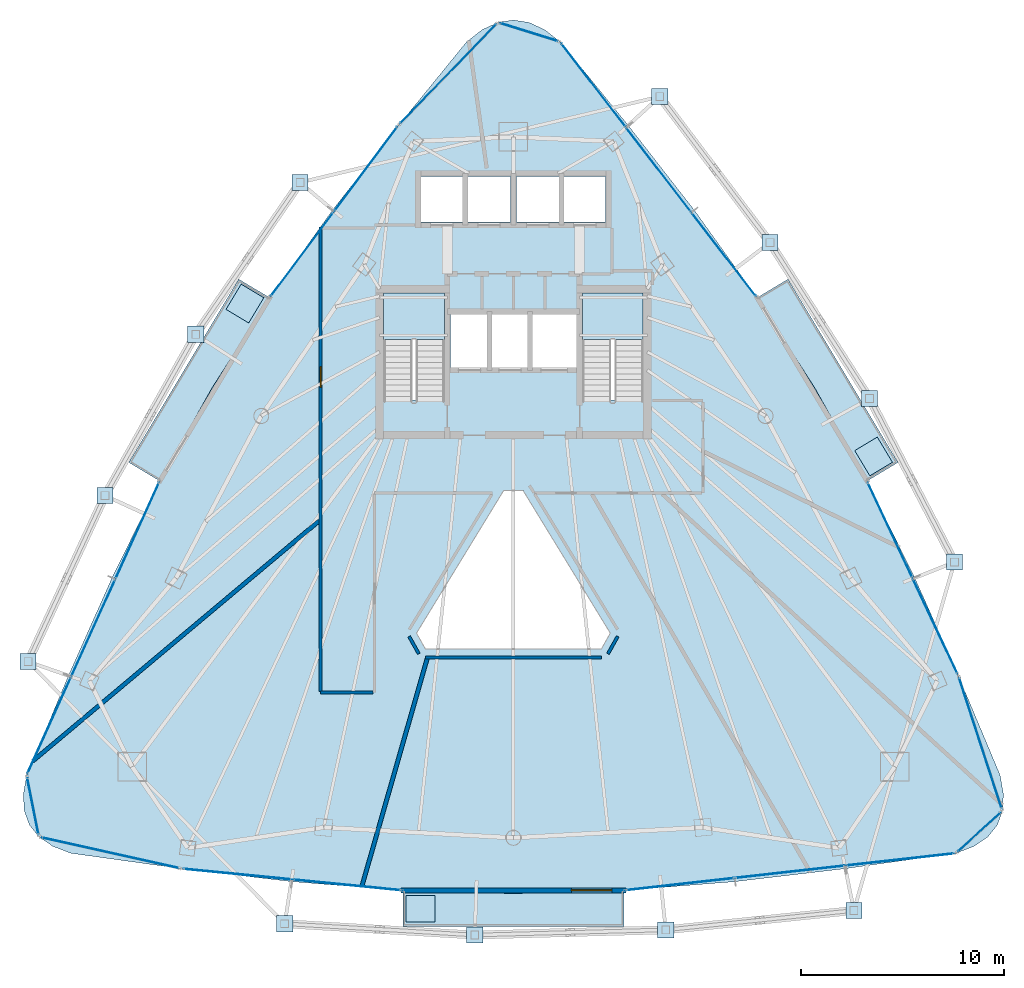
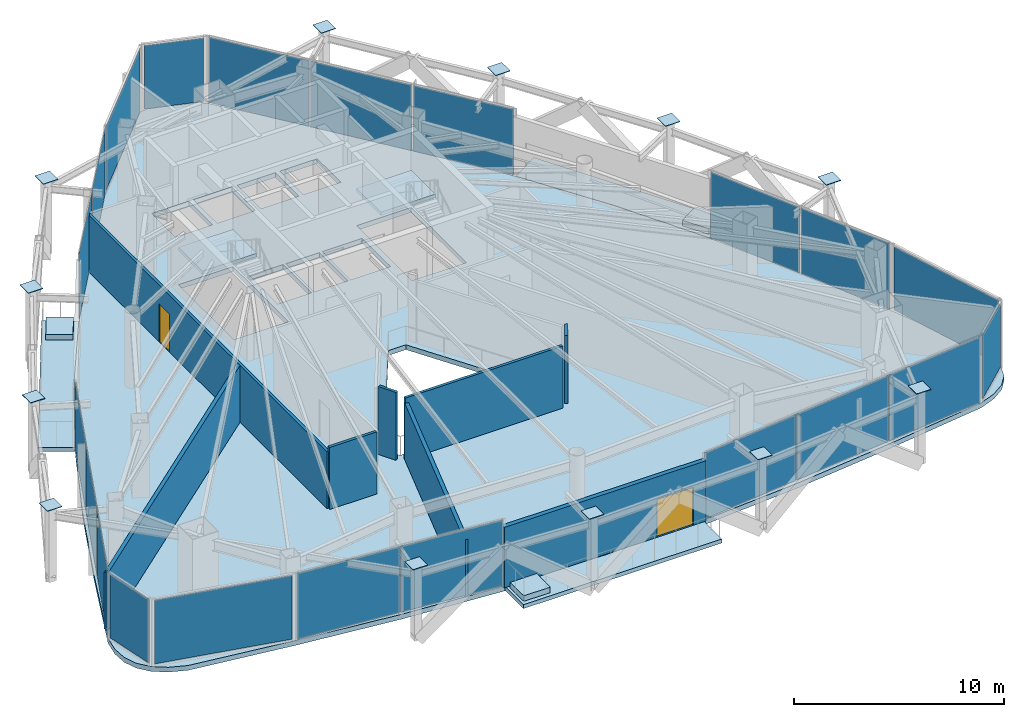
# One storey, part 22 of 27: 33 plates, 9 slabs, 8 walls, 2 doors, 2 openings, 14 elements without a shape of their own.
"""IFC4 building model written with IfcOpenShell, lengths in metres."""

from ifc_helpers import new_model, si_unit, direction, frame, frame_2d, origin, origin_2d, place, context, subcontext, project, spatial, polyline, rectangle, outline, extrude, material, layer, layer_set, type_object, element, fill, aggregate, save


model = new_model("IFC4")

# Units and contexts
model_context = context("Model", 3, precision=1e-05, world=origin(), true_north=direction((0.0, 1.0)))
body_context = subcontext(model_context, "Body", "Model", "MODEL_VIEW")
ifc_project = project(units=[si_unit("LENGTHUNIT", "METRE"), si_unit("AREAUNIT", "SQUARE_METRE"), si_unit("VOLUMEUNIT", "CUBIC_METRE"), si_unit("PLANEANGLEUNIT", "RADIAN"), si_unit("MASSUNIT", "GRAM", prefix="KILO")], contexts=[model_context])

# Site, building, storey
site_placement = place(None, origin())
site = spatial("IfcSite", under=ifc_project, at=site_placement, CompositionType="ELEMENT")
building_placement = place(site_placement, origin())
building = spatial("IfcBuilding", under=site, at=building_placement, Name="Orvanel Arch Residences", CompositionType="ELEMENT")
storey_placement = place(building_placement, frame((0.0, 0.0, 186.949951171875)))
storey = spatial("IfcBuildingStorey", under=building, at=storey_placement, Name="L53", CompositionType="ELEMENT", Elevation=186.949951171875)

# Plates
ifc_material_1 = material(Name="Structural steel AS/NZS 3678 Grade 350", Category="steel")
ifc_layer_1 = layer(ifc_material_1, 0.031982421875)
ifc_layer_set_1 = layer_set([ifc_layer_1], Name="Structural steel AS/NZS 3678 Grade 350")
plate_type_1 = type_object("IfcPlateType", Name="PL-CAP-32", PredefinedType="SHEET", material=ifc_layer_set_1)
for number, where, z_axis, x_axis, name in (
    (1, (22.48291015625, 39.154052734375, 4.333984375), (0.0, 0.0, 1.0), (1.0, 0.0, 0.0), "L53 hollow member end cap plate"),
    (2, (17.339111328125, 31.6650390625, 4.333984375), (0.0, 0.0, 1.0), (1.0, 0.0, 0.0), "L53 hollow member end cap plate"),
    (3, (12.867919921875, 23.716064453125, 4.333984375), (0.0, 0.0, 1.0), (1.0, 0.0, 0.0), "L53 hollow member end cap plate"),
    (4, (9.074951171875, 15.531005859375, 4.333984375), (0.0, 0.0, 1.0), (1.0, 0.0, 0.0), "L53 hollow member end cap plate"),
    (5, (21.72412109375, 2.60791015625, 4.333984375), (0.0, 0.0, 1.0), (1.0, 0.0, 0.0), "L53 hollow member end cap plate"),
    (6, (31.094970703125, 2.050048828125, 4.333984375), (0.0, 0.0, 1.0), (1.0, 0.0, 0.0), "L53 hollow member end cap plate"),
    (7, (40.510986328125, 2.304931640625, 4.333984375), (0.0, 0.0, 1.0), (1.0, 0.0, 0.0), "L53 hollow member end cap plate"),
    (8, (49.787109375, 3.260986328125, 4.333984375), (0.0, 0.0, 1.0), (1.0, 0.0, 0.0), "L53 hollow member end cap plate"),
    (9, (54.7451171875, 20.43701171875, 4.333984375), (0.0, 0.0, 1.0), (1.0, 0.0, 0.0), "L53 hollow member end cap plate"),
    (10, (50.55908203125, 28.5009765625, 4.333984375), (0.0, 0.0, 1.0), (1.0, 0.0, 0.0), "L53 hollow member end cap plate"),
    (11, (45.65087890625, 36.18701171875, 4.333984375), (0.0, 0.0, 1.0), (1.0, 0.0, 0.0), "L53 hollow member end cap plate"),
    (12, (40.215087890625, 43.386962890625, 4.333984375), (0.0, 0.0, 1.0), (1.0, 0.0, 0.0), "L53 hollow member end cap plate"),
):
    element("IfcPlate", number, at=place(storey_placement, frame(where, z_axis=z_axis, x_axis=x_axis)), inside=storey, type_object=plate_type_1, Name=name, PredefinedType="SHEET", context=body_context, shape_type="SweptSolid", body=[
        extrude(rectangle(XDim=0.800048828125, YDim=0.800048828125, at=origin_2d()), origin(), (0.0, 0.0, 1.0), 0.031982421875),
    ])

# Curtain wall, plate
ifc_material_2 = material(Name="Bronze-anodised aluminium AA6063-T6", Category="aluminium")
ifc_layer_2 = layer(ifc_material_2, 0.18994140625)
ifc_layer_set_2 = layer_set([ifc_layer_2], Name="Bronze-anodised aluminium AA6063-T6")
curtain_wall_type_1 = type_object("IfcCurtainWallType", Name="CW5-CRN-SYS", PredefinedType="NOTDEFINED", material=ifc_layer_set_2)
curtain_wall_1_placement = place(storey_placement, origin())
curtain_wall_1 = element("IfcCurtainWall", 13, at=curtain_wall_1_placement, inside=storey, type_object=curtain_wall_type_1, Name="L53 CW5-CRN-SYS Unitised Curtain Wall", PredefinedType="NOTDEFINED")
ifc_material_3 = material(Name="Double-glazed solar-control low-E safety glass", Category="glass")
ifc_layer_3 = layer(ifc_material_3, 0.031982421875)
ifc_layer_set_3 = layer_set([ifc_layer_3], Name="Double-glazed solar-control low-E safety glass")
plate_type_2 = type_object("IfcPlateType", Name="PNL-GLZ-32", PredefinedType="CURTAIN_PANEL", material=ifc_layer_set_3)
plate_1_placement = place(storey_placement, frame((33.7705078125, 46.56396484375, 0.130126953125), z_axis=(0.0, 0.0, 1.0), x_axis=(-0.954741997717, 0.297435232942, 0.0)))
plate_1 = element("IfcPlate", 14, at=plate_1_placement, type_object=plate_type_2, Name="CW-S5 panel 1.1", PredefinedType="CURTAIN_PANEL", context=body_context, shape_type="SweptSolid", body=[
    extrude(rectangle(XDim=2.88720703125, YDim=0.031982421875, at=origin_2d()), origin(), (0.0, 0.0, 1.0), 3.68994140625),
])
aggregate(curtain_wall_1, [plate_1])

curtain_wall_2_placement = place(storey_placement, origin())
curtain_wall_2 = element("IfcCurtainWall", 15, at=curtain_wall_2_placement, inside=storey, type_object=curtain_wall_type_1, Name="L53 CW5-CRN-SYS Unitised Curtain Wall", PredefinedType="NOTDEFINED")
plate_2_placement = place(storey_placement, frame((29.778564453125, 44.5, 0.130126953125), z_axis=(0.0, 0.0, 1.0), x_axis=(-0.693819441738, -0.720149000045, 0.0)))
plate_2 = element("IfcPlate", 16, at=plate_2_placement, type_object=plate_type_2, Name="CW-S5 panel 1.1", PredefinedType="CURTAIN_PANEL", context=body_context, shape_type="SweptSolid", body=[
    extrude(rectangle(XDim=6.726318359375, YDim=0.031982421875, at=origin_2d()), origin(), (0.0, 0.0, 1.0), 3.68994140625),
])
aggregate(curtain_wall_2, [plate_2])

curtain_wall_3_placement = place(storey_placement, origin())
curtain_wall_3 = element("IfcCurtainWall", 17, at=curtain_wall_3_placement, inside=storey, type_object=curtain_wall_type_1, Name="L53 CW5-CRN-SYS Unitised Curtain Wall", PredefinedType="NOTDEFINED")
plate_3_placement = place(storey_placement, frame((9.30810546875, 8.409912109375, 0.130126953125), z_axis=(0.0, 0.0, 1.0), x_axis=(0.195614533746, -0.980680862558, 0.0)))
plate_3 = element("IfcPlate", 18, at=plate_3_placement, type_object=plate_type_2, Name="CW-S5 panel 1.1", PredefinedType="CURTAIN_PANEL", context=body_context, shape_type="SweptSolid", body=[
    extrude(rectangle(XDim=2.767333984375, YDim=0.031982421875, at=origin_2d()), origin(), (0.0, 0.0, 1.0), 3.68994140625),
])
aggregate(curtain_wall_3, [plate_3])

curtain_wall_4_placement = place(storey_placement, origin())
curtain_wall_4 = element("IfcCurtainWall", 19, at=curtain_wall_4_placement, inside=storey, type_object=curtain_wall_type_1, Name="L53 CW5-CRN-SYS Unitised Curtain Wall", PredefinedType="NOTDEFINED")
plate_4_placement = place(storey_placement, frame((13.1259765625, 6.10400390625, 0.130126953125), z_axis=(0.0, 0.0, 1.0), x_axis=(0.976094946829, -0.217344553129, 0.0)))
plate_4 = element("IfcPlate", 20, at=plate_4_placement, type_object=plate_type_2, Name="CW-S5 panel 1.1", PredefinedType="CURTAIN_PANEL", context=body_context, shape_type="SweptSolid", body=[
    extrude(rectangle(XDim=6.859130859375, YDim=0.031982421875, at=origin_2d()), origin(), (0.0, 0.0, 1.0), 3.68994140625),
])
aggregate(curtain_wall_4, [plate_4])

curtain_wall_5_placement = place(storey_placement, origin())
curtain_wall_5 = element("IfcCurtainWall", 21, at=curtain_wall_5_placement, inside=storey, type_object=curtain_wall_type_1, Name="L53 CW5-CRN-SYS Unitised Curtain Wall", PredefinedType="NOTDEFINED")
plate_5_placement = place(storey_placement, frame((55.964599609375, 7.12548828125, 0.130126953125), z_axis=(0.0, 0.0, 1.0), x_axis=(0.74019073864, 0.67239695897, 0.0)))
plate_5 = element("IfcPlate", 22, at=plate_5_placement, type_object=plate_type_2, Name="CW-S5 panel 1.1", PredefinedType="CURTAIN_PANEL", context=body_context, shape_type="SweptSolid", body=[
    extrude(rectangle(XDim=2.76806640625, YDim=0.031982421875, at=origin_2d()), origin(), (0.0, 0.0, 1.0), 3.68994140625),
])
aggregate(curtain_wall_5, [plate_5])

curtain_wall_6_placement = place(storey_placement, origin())
curtain_wall_6 = element("IfcCurtainWall", 23, at=curtain_wall_6_placement, inside=storey, type_object=curtain_wall_type_1, Name="L53 CW5-CRN-SYS Unitised Curtain Wall", PredefinedType="NOTDEFINED")
plate_6_placement = place(storey_placement, frame((56.025390625, 11.506591796875, 0.130126953125), z_axis=(0.0, 0.0, 1.0), x_axis=(-0.310462550161, 0.950585611582, 0.0)))
plate_6 = element("IfcPlate", 24, at=plate_6_placement, type_object=plate_type_2, Name="CW-S5 panel 1.1", PredefinedType="CURTAIN_PANEL", context=body_context, shape_type="SweptSolid", body=[
    extrude(rectangle(XDim=6.679931640625, YDim=0.031982421875, at=origin_2d()), origin(), (0.0, 0.0, 1.0), 3.68994140625),
])
aggregate(curtain_wall_6, [plate_6])

# Curtain wall, plates
ifc_layer_4 = layer(ifc_material_2, 0.195068359375)
ifc_layer_set_4 = layer_set([ifc_layer_4], Name="Bronze-anodised aluminium AA6063-T6")
curtain_wall_type_2 = type_object("IfcCurtainWallType", Name="CW6-COM-SYS", PredefinedType="NOTDEFINED", material=ifc_layer_set_4)
curtain_wall_7_placement = place(storey_placement, origin())
curtain_wall_7 = element("IfcCurtainWall", 25, at=curtain_wall_7_placement, inside=storey, type_object=curtain_wall_type_2, Name="L53 CW6-COM-SYS Unitised Curtain Wall", PredefinedType="NOTDEFINED")
plate_7_placement = place(storey_placement, frame((25.724609375, 39.811767578125, 0.06494140625), z_axis=(0.0, 0.0, 1.0), x_axis=(-0.598619354935, -0.801033624698, 0.0)))
plate_7 = element("IfcPlate", 26, at=plate_7_placement, type_object=plate_type_2, Name="CW-S6 panel 1.1", PredefinedType="CURTAIN_PANEL", context=body_context, shape_type="SweptSolid", body=[
    extrude(rectangle(XDim=5.163818359375, YDim=0.031982421875, at=origin_2d()), origin(), (0.0, 0.0, 1.0), 3.820068359375),
])
plate_8_placement = place(storey_placement, frame((22.58837890625, 35.615234375, 0.06494140625), z_axis=(0.0, 0.0, 1.0), x_axis=(-0.598619354935, -0.801033624698, 0.0)))
plate_8 = element("IfcPlate", 27, at=plate_8_placement, type_object=plate_type_2, Name="CW-S6 panel 2.1", PredefinedType="CURTAIN_PANEL", context=body_context, shape_type="SweptSolid", body=[
    extrude(rectangle(XDim=5.163818359375, YDim=0.031982421875, at=origin_2d()), origin(), (0.0, 0.0, 1.0), 3.820068359375),
])
aggregate(curtain_wall_7, [plate_7, plate_8])

curtain_wall_8_placement = place(storey_placement, origin())
curtain_wall_8 = element("IfcCurtainWall", 28, at=curtain_wall_8_placement, inside=storey, type_object=curtain_wall_type_2, Name="L53 CW6-COM-SYS Unitised Curtain Wall", PredefinedType="NOTDEFINED")
plate_9_placement = place(storey_placement, frame((14.45849609375, 21.9873046875, 0.06494140625), z_axis=(0.0, 0.0, 1.0), x_axis=(-0.412283653519, -0.911055535651, 0.0)))
plate_9 = element("IfcPlate", 29, at=plate_9_placement, type_object=plate_type_2, Name="CW-S6 panel 1.1", PredefinedType="CURTAIN_PANEL", context=body_context, shape_type="SweptSolid", body=[
    extrude(rectangle(XDim=5.17919921875, YDim=0.031982421875, at=origin_2d()), origin(), (0.0, 0.0, 1.0), 3.820068359375),
])
plate_10_placement = place(storey_placement, frame((12.284423828125, 17.18359375, 0.06494140625), z_axis=(0.0, 0.0, 1.0), x_axis=(-0.412283653519, -0.911055535651, 0.0)))
plate_10 = element("IfcPlate", 30, at=plate_10_placement, type_object=plate_type_2, Name="CW-S6 panel 2.1", PredefinedType="CURTAIN_PANEL", context=body_context, shape_type="SweptSolid", body=[
    extrude(rectangle(XDim=5.216552734375, YDim=0.031982421875, at=origin_2d()), origin(), (0.0, 0.0, 1.0), 3.820068359375),
])
plate_11_placement = place(storey_placement, frame((10.110595703125, 12.379638671875, 0.06494140625), z_axis=(0.0, 0.0, 1.0), x_axis=(-0.412283653519, -0.911055535651, 0.0)))
plate_11 = element("IfcPlate", 31, at=plate_11_placement, type_object=plate_type_2, Name="CW-S6 panel 3.1", PredefinedType="CURTAIN_PANEL", context=body_context, shape_type="SweptSolid", body=[
    extrude(rectangle(XDim=5.17919921875, YDim=0.031982421875, at=origin_2d()), origin(), (0.0, 0.0, 1.0), 3.820068359375),
])
aggregate(curtain_wall_8, [plate_9, plate_10, plate_11])

curtain_wall_9_placement = place(storey_placement, origin())
curtain_wall_9 = element("IfcCurtainWall", 32, at=curtain_wall_9_placement, inside=storey, type_object=curtain_wall_type_2, Name="L53 CW6-COM-SYS Unitised Curtain Wall", PredefinedType="NOTDEFINED")
plate_12_placement = place(storey_placement, frame((19.3955078125, 5.051025390625, 0.06494140625), z_axis=(0.0, 0.0, 1.0), x_axis=(0.995196387039, -0.097898678362, 0.0)))
plate_12 = element("IfcPlate", 33, at=plate_12_placement, type_object=plate_type_2, Name="CW-S6 panel 1.1", PredefinedType="CURTAIN_PANEL", context=body_context, shape_type="SweptSolid", body=[
    extrude(rectangle(XDim=5.34716796875, YDim=0.031982421875, at=origin_2d()), origin(), (0.0, 0.0, 1.0), 3.820068359375),
])
plate_13_placement = place(storey_placement, frame((24.79150390625, 4.52001953125, 0.06494140625), z_axis=(0.0, 0.0, 1.0), x_axis=(0.995196387039, -0.097898678362, 0.0)))
plate_13 = element("IfcPlate", 34, at=plate_13_placement, type_object=plate_type_2, Name="CW-S6 panel 2.1", PredefinedType="CURTAIN_PANEL", context=body_context, shape_type="SweptSolid", body=[
    extrude(rectangle(XDim=5.34716796875, YDim=0.031982421875, at=origin_2d()), origin(), (0.0, 0.0, 1.0), 3.820068359375),
])
aggregate(curtain_wall_9, [plate_12, plate_13])

curtain_wall_10_placement = place(storey_placement, origin())
curtain_wall_10 = element("IfcCurtainWall", 35, at=curtain_wall_10_placement, inside=storey, type_object=curtain_wall_type_2, Name="L53 CW6-COM-SYS Unitised Curtain Wall", PredefinedType="NOTDEFINED")
plate_14_placement = place(storey_placement, frame((41.2119140625, 4.557861328125, 0.06494140625), z_axis=(0.0, 0.0, 1.0), x_axis=(0.993786073557, 0.111306962965, 0.0)))
plate_14 = element("IfcPlate", 36, at=plate_14_placement, type_object=plate_type_2, Name="CW-S6 panel 1.1", PredefinedType="CURTAIN_PANEL", context=body_context, shape_type="SweptSolid", body=[
    extrude(rectangle(XDim=5.36181640625, YDim=0.031982421875, at=origin_2d()), origin(), (0.0, 0.0, 1.0), 3.820068359375),
])
plate_15_placement = place(storey_placement, frame((46.633544921875, 5.1650390625, 0.06494140625), z_axis=(0.0, 0.0, 1.0), x_axis=(0.993786073557, 0.111306962965, 0.0)))
plate_15 = element("IfcPlate", 37, at=plate_15_placement, type_object=plate_type_2, Name="CW-S6 panel 2.1", PredefinedType="CURTAIN_PANEL", context=body_context, shape_type="SweptSolid", body=[
    extrude(rectangle(XDim=5.3994140625, YDim=0.031982421875, at=origin_2d()), origin(), (0.0, 0.0, 1.0), 3.820068359375),
])
plate_16_placement = place(storey_placement, frame((52.05517578125, 5.772216796875, 0.06494140625), z_axis=(0.0, 0.0, 1.0), x_axis=(0.993786073557, 0.111306962965, 0.0)))
plate_16 = element("IfcPlate", 38, at=plate_16_placement, type_object=plate_type_2, Name="CW-S6 panel 3.1", PredefinedType="CURTAIN_PANEL", context=body_context, shape_type="SweptSolid", body=[
    extrude(rectangle(XDim=5.36181640625, YDim=0.031982421875, at=origin_2d()), origin(), (0.0, 0.0, 1.0), 3.820068359375),
])
aggregate(curtain_wall_10, [plate_14, plate_15, plate_16])

curtain_wall_11_placement = place(storey_placement, origin())
curtain_wall_11 = element("IfcCurtainWall", 39, at=curtain_wall_11_placement, inside=storey, type_object=curtain_wall_type_2, Name="L53 CW6-COM-SYS Unitised Curtain Wall", PredefinedType="NOTDEFINED")
plate_17_placement = place(storey_placement, frame((53.798828125, 17.266357421875, 0.06494140625), z_axis=(0.0, 0.0, 1.0), x_axis=(-0.424943580596, 0.905219837006, 0.0)))
plate_17 = element("IfcPlate", 40, at=plate_17_placement, type_object=plate_type_2, Name="CW-S6 panel 1.1", PredefinedType="CURTAIN_PANEL", context=body_context, shape_type="SweptSolid", body=[
    extrude(rectangle(XDim=5.16455078125, YDim=0.031982421875, at=origin_2d()), origin(), (0.0, 0.0, 1.0), 3.820068359375),
])
plate_18_placement = place(storey_placement, frame((51.572265625, 22.009521484375, 0.06494140625), z_axis=(0.0, 0.0, 1.0), x_axis=(-0.424943580596, 0.905219837006, 0.0)))
plate_18 = element("IfcPlate", 41, at=plate_18_placement, type_object=plate_type_2, Name="CW-S6 panel 2.1", PredefinedType="CURTAIN_PANEL", context=body_context, shape_type="SweptSolid", body=[
    extrude(rectangle(XDim=5.16455078125, YDim=0.031982421875, at=origin_2d()), origin(), (0.0, 0.0, 1.0), 3.820068359375),
])
aggregate(curtain_wall_11, [plate_17, plate_18])

curtain_wall_12_placement = place(storey_placement, origin())
curtain_wall_12 = element("IfcCurtainWall", 42, at=curtain_wall_12_placement, inside=storey, type_object=curtain_wall_type_2, Name="L53 CW6-COM-SYS Unitised Curtain Wall", PredefinedType="NOTDEFINED")
plate_19_placement = place(storey_placement, frame((43.37744140625, 35.5986328125, 0.06494140625), z_axis=(0.0, 0.0, 1.0), x_axis=(-0.60976251669, 0.79258417423, 0.0)))
plate_19 = element("IfcPlate", 43, at=plate_19_placement, type_object=plate_type_2, Name="CW-S6 panel 1.1", PredefinedType="CURTAIN_PANEL", context=body_context, shape_type="SweptSolid", body=[
    extrude(rectangle(XDim=5.1787109375, YDim=0.031982421875, at=origin_2d()), origin(), (0.0, 0.0, 1.0), 3.820068359375),
])
plate_20_placement = place(storey_placement, frame((40.16259765625, 39.777587890625, 0.06494140625), z_axis=(0.0, 0.0, 1.0), x_axis=(-0.60976251669, 0.79258417423, 0.0)))
plate_20 = element("IfcPlate", 44, at=plate_20_placement, type_object=plate_type_2, Name="CW-S6 panel 2.1", PredefinedType="CURTAIN_PANEL", context=body_context, shape_type="SweptSolid", body=[
    extrude(rectangle(XDim=5.216064453125, YDim=0.031982421875, at=origin_2d()), origin(), (0.0, 0.0, 1.0), 3.820068359375),
])
plate_21_placement = place(storey_placement, frame((36.947509765625, 43.956298828125, 0.06494140625), z_axis=(0.0, 0.0, 1.0), x_axis=(-0.60976251669, 0.79258417423, 0.0)))
plate_21 = element("IfcPlate", 45, at=plate_21_placement, type_object=plate_type_2, Name="CW-S6 panel 3.1", PredefinedType="CURTAIN_PANEL", context=body_context, shape_type="SweptSolid", body=[
    extrude(rectangle(XDim=5.1787109375, YDim=0.031982421875, at=origin_2d()), origin(), (0.0, 0.0, 1.0), 3.820068359375),
])
aggregate(curtain_wall_12, [plate_19, plate_20, plate_21])

# Slabs
ifc_material_4 = material(Name="Concrete N40 (40 MPa)", Category="concrete")
ifc_layer_5 = layer(ifc_material_4, 0.22998046875)
ifc_layer_set_5 = layer_set([ifc_layer_5], Name="Concrete N40 (40 MPa)")
slab_type_1 = type_object("IfcSlabType", Name="SLB-BAL-230", PredefinedType="FLOOR", material=ifc_layer_set_5)
slab_1_placement = place(storey_placement, frame((0.0, 0.0, -0.22998046875)))
element("IfcSlab", 46, at=slab_1_placement, inside=storey, type_object=slab_type_1, Name="L53 Cantilevered Balcony Slab Face 1", PredefinedType="FLOOR", context=body_context, shape_type="SweptSolid", body=[
    extrude(outline(polyline([(19.4599609375, 34.385986328125), (14.0380859375, 25.34912109375), (15.56494140625, 24.43310546875), (18.14599609375, 29.029052734375), (20.986083984375, 33.470947265625), (19.4599609375, 34.385986328125)])), origin(), (0.0, 0.0, 1.0), 0.22998046875),
])
slab_2_placement = place(storey_placement, frame((0.0, 0.0, -0.22998046875)))
element("IfcSlab", 47, at=slab_2_placement, inside=storey, type_object=slab_type_1, Name="L53 Cantilevered Balcony Slab Face 2", PredefinedType="FLOOR", context=body_context, shape_type="SweptSolid", body=[
    extrude(outline(polyline([(27.547119140625, 2.468994140625), (38.452880859375, 2.468994140625), (38.452880859375, 4.2490234375), (33.0, 4.097900390625), (27.547119140625, 4.2490234375), (27.547119140625, 2.468994140625)])), origin(), (0.0, 0.0, 1.0), 0.22998046875),
])
slab_3_placement = place(storey_placement, frame((0.0, 0.0, -0.22998046875)))
element("IfcSlab", 48, at=slab_3_placement, inside=storey, type_object=slab_type_1, Name="L53 Cantilevered Balcony Slab Face 3", PredefinedType="FLOOR", context=body_context, shape_type="SweptSolid", body=[
    extrude(outline(polyline([(51.9619140625, 25.34912109375), (46.5400390625, 34.385986328125), (45.013916015625, 33.470947265625), (47.85400390625, 29.029052734375), (50.43505859375, 24.43310546875), (51.9619140625, 25.34912109375)])), origin(), (0.0, 0.0, 1.0), 0.22998046875),
])

# Stair, slab
ifc_material_5 = material(Name="Precast concrete N50 (50 MPa)", Category="concrete")
stair_type = type_object("IfcStairType", Name="STR-DOG-181", PredefinedType="USERDEFINED", material=ifc_material_5)
stair_1_placement = place(storey_placement, origin())
stair_1 = element("IfcStair", 49, at=stair_1_placement, inside=storey, type_object=stair_type, Name="L53 Fire-Isolated Core Exit Stair 1", ObjectType="TWO_RETURN_STAIR", PredefinedType="USERDEFINED")
ifc_layer_6 = layer(ifc_material_4, 0.199951171875)
ifc_layer_set_6 = layer_set([ifc_layer_6], Name="Concrete N40 (40 MPa)")
slab_type_2 = type_object("IfcSlabType", Name="SLB-LND-200", PredefinedType="LANDING", material=ifc_layer_set_6)
slab_4_placement = place(storey_placement, frame((0.0, 0.0, 1.97509765625)))
slab_4 = element("IfcSlab", 50, at=slab_4_placement, type_object=slab_type_2, Name="ST-1 landing 1", PredefinedType="LANDING", context=body_context, shape_type="SweptSolid", body=[
    extrude(outline(polyline([(29.60009765625, 31.39990234375), (29.60009765625, 33.699951171875), (26.60009765625, 33.699951171875), (26.60009765625, 31.39990234375), (29.60009765625, 31.39990234375)])), origin(), (0.0, 0.0, 1.0), 0.199951171875),
])
aggregate(stair_1, [slab_4])

stair_2_placement = place(storey_placement, origin())
stair_2 = element("IfcStair", 51, at=stair_2_placement, inside=storey, type_object=stair_type, Name="L53 Fire-Isolated Core Exit Stair 2", ObjectType="TWO_RETURN_STAIR", PredefinedType="USERDEFINED")
slab_5_placement = place(storey_placement, frame((0.0, 0.0, 1.97509765625)))
slab_5 = element("IfcSlab", 52, at=slab_5_placement, type_object=slab_type_2, Name="ST-2 landing 1", PredefinedType="LANDING", context=body_context, shape_type="SweptSolid", body=[
    extrude(outline(polyline([(39.39990234375, 31.39990234375), (39.39990234375, 33.699951171875), (36.39990234375, 33.699951171875), (36.39990234375, 31.39990234375), (39.39990234375, 31.39990234375)])), origin(), (0.0, 0.0, 1.0), 0.199951171875),
])
aggregate(stair_2, [slab_5])

# Slabs
ifc_material_6 = material(Name="Structural architectural precast concrete N40 (40 MPa) planter", Category="concrete")
ifc_layer_7 = layer(ifc_material_6, 0.320068359375)
ifc_layer_set_7 = layer_set([ifc_layer_7], Name="Structural architectural precast concrete N40 (40 MPa) planter")
slab_type_3 = type_object("IfcSlabType", Name="SLB-PLN-320", PredefinedType="USERDEFINED", material=ifc_layer_set_7)
slab_6_placement = place(storey_placement, origin())
element("IfcSlab", 53, at=slab_6_placement, inside=storey, type_object=slab_type_3, Name="L53 Balcony TREE PLANTER Face 1", ObjectType="PLANTER", PredefinedType="USERDEFINED", context=body_context, shape_type="SweptSolid", body=[
    extrude(outline(polyline([(19.580078125, 34.138916015625), (18.833984375, 32.89599609375), (19.948974609375, 32.22705078125), (20.694091796875, 33.469970703125), (19.580078125, 34.138916015625)])), origin(), (0.0, 0.0, 1.0), 0.320068359375),
])
slab_7_placement = place(storey_placement, origin())
element("IfcSlab", 54, at=slab_7_placement, inside=storey, type_object=slab_type_3, Name="L53 Balcony TREE PLANTER Face 2", ObjectType="PLANTER", PredefinedType="USERDEFINED", context=body_context, shape_type="SweptSolid", body=[
    extrude(outline(polyline([(27.697021484375, 2.698974609375), (29.14697265625, 2.698974609375), (29.14697265625, 3.9990234375), (27.697021484375, 3.9990234375), (27.697021484375, 2.698974609375)])), origin(), (0.0, 0.0, 1.0), 0.320068359375),
])
slab_8_placement = place(storey_placement, origin())
element("IfcSlab", 55, at=slab_8_placement, inside=storey, type_object=slab_type_3, Name="L53 Balcony TREE PLANTER Face 3", ObjectType="PLANTER", PredefinedType="USERDEFINED", context=body_context, shape_type="SweptSolid", body=[
    extrude(outline(polyline([(51.68701171875, 25.35888671875), (50.94091796875, 26.60205078125), (49.825927734375, 25.93408203125), (50.572021484375, 24.68994140625), (51.68701171875, 25.35888671875)])), origin(), (0.0, 0.0, 1.0), 0.320068359375),
])
ifc_layer_8 = layer(ifc_material_4, 0.280029296875)
ifc_layer_set_8 = layer_set([ifc_layer_8], Name="Concrete N40 (40 MPa)")
slab_type_4 = type_object("IfcSlabType", Name="SLB-POD-280", PredefinedType="FLOOR", material=ifc_layer_set_8)
slab_9_placement = place(storey_placement, frame((0.0, 0.0, -0.280029296875)))
element("IfcSlab", 56, at=slab_9_placement, inside=storey, type_object=slab_type_4, Name="L53 Tower Floor Slab", PredefinedType="FLOOR", context=body_context, shape_type="SweptSolid", body=[
    extrude(outline(polyline([(35.31103515625, 46.083984375), (34.541015625, 46.68408203125), (33.77001953125, 47.0439453125), (33.0, 47.1630859375), (32.22998046875, 47.0439453125), (31.458984375, 46.68408203125), (30.68896484375, 46.083984375), (27.326904296875, 41.9560546875), (24.06494140625, 37.76806640625), (20.986083984375, 33.470947265625), (18.14599609375, 29.029052734375), (15.56494140625, 24.43310546875), (13.222900390625, 19.693115234375), (11.06396484375, 14.843017578125), (9.00390625, 9.93408203125), (8.839111328125, 8.991943359375), (8.885009765625, 8.169921875), (9.14306640625, 7.468017578125), (9.612060546875, 6.885986328125), (10.29296875, 6.424072265625), (11.18603515625, 6.0810546875), (16.639892578125, 5.322021484375), (22.093017578125, 4.678955078125), (27.547119140625, 4.2490234375), (33.0, 4.097900390625), (38.452880859375, 4.2490234375), (43.906982421875, 4.678955078125), (49.360107421875, 5.322021484375), (54.81396484375, 6.0810546875), (55.70703125, 6.424072265625), (56.387939453125, 6.885986328125), (56.85791015625, 7.468017578125), (57.114990234375, 8.169921875), (57.160888671875, 8.991943359375), (56.99609375, 9.93408203125), (54.93603515625, 14.843017578125), (52.777099609375, 19.693115234375), (50.43505859375, 24.43310546875), (47.85400390625, 29.029052734375), (45.013916015625, 33.470947265625), (41.93505859375, 37.76806640625), (38.673095703125, 41.9560546875), (35.31103515625, 46.083984375)]), holes=[polyline([(26.60009765625, 28.429931640625), (26.60009765625, 33.699951171875), (29.60009765625, 33.699951171875), (29.60009765625, 28.429931640625), (26.60009765625, 28.429931640625)]), polyline([(36.39990234375, 28.429931640625), (36.39990234375, 33.699951171875), (39.39990234375, 33.699951171875), (39.39990234375, 28.429931640625), (36.39990234375, 28.429931640625)]), polyline([(29.89990234375, 32.64990234375), (31.75, 32.64990234375), (31.75, 29.949951171875), (29.89990234375, 29.949951171875), (29.89990234375, 32.64990234375)]), polyline([(31.89990234375, 32.64990234375), (33.75, 32.64990234375), (33.75, 29.949951171875), (31.89990234375, 29.949951171875), (31.89990234375, 32.64990234375)]), polyline([(33.89990234375, 32.64990234375), (36.10009765625, 32.64990234375), (36.10009765625, 29.949951171875), (33.89990234375, 29.949951171875), (33.89990234375, 32.64990234375)]), polyline([(28.449951171875, 39.449951171875), (30.5, 39.449951171875), (30.5, 37.199951171875), (28.449951171875, 37.199951171875), (28.449951171875, 39.449951171875)]), polyline([(35.5, 39.449951171875), (37.550048828125, 39.449951171875), (37.550048828125, 37.199951171875), (35.5, 37.199951171875), (35.5, 39.449951171875)]), polyline([(30.75, 39.449951171875), (32.85009765625, 39.449951171875), (32.85009765625, 37.199951171875), (30.75, 37.199951171875), (30.75, 39.449951171875)]), polyline([(33.14990234375, 39.449951171875), (35.25, 39.449951171875), (35.25, 37.199951171875), (33.14990234375, 37.199951171875), (33.14990234375, 39.449951171875)]), polyline([(37.777099609375, 16.93505859375), (37.3330078125, 16.14306640625), (28.6669921875, 16.14306640625), (28.222900390625, 16.93505859375), (32.51611328125, 23.9580078125), (33.48388671875, 23.9580078125), (37.777099609375, 16.93505859375)])]), origin(), (0.0, 0.0, 1.0), 0.280029296875),
])

# Wall, opening, door
ifc_layer_9 = layer(ifc_material_5, 0.239990234375)
ifc_layer_set_9 = layer_set([ifc_layer_9], Name="Precast concrete N50 (50 MPa)")
wall_type_1 = type_object("IfcWallType", Name="EW-BAL-240", PredefinedType="SOLIDWALL", material=ifc_layer_set_9)
wall_1_placement = place(storey_placement, frame((27.448974609375, 4.2490234375, 0.0), z_axis=(0.0, 0.0, 1.0), x_axis=(1.0, 0.0, 0.0)))
wall_1 = element("IfcWall", 57, at=wall_1_placement, inside=storey, type_object=wall_type_1, Name="L53 Balcony Threshold Wall Face 2", PredefinedType="SOLIDWALL", context=body_context, shape_type="SweptSolid", body=[
    extrude(rectangle(XDim=11.10205078125, YDim=0.239990234375, at=frame_2d((5.551025390625, 0.0))), origin(), (0.0, 0.0, 1.0), 3.51416015625),
])
opening_1_placement = place(wall_1_placement, frame((8.405029296875, 0.0, 0.0)))
opening_1 = element("IfcOpeningElement", 58, at=opening_1_placement, cuts=wall_1, Name="Opening DT-200", PredefinedType="OPENING", context=body_context, shape_type="SweptSolid", body=[
    extrude(rectangle(XDim=2.0, YDim=2.199951171875, at=frame_2d((1.0, 1.10009765625))), frame((0.0, 0.1298828125, 0.0), z_axis=(0.0, -1.0, 0.0), x_axis=(1.0, 0.0, 0.0)), (0.0, 0.0, 1.0), 0.260009765625),
])
door_type_1 = type_object("IfcDoorType", Name="DR-TER-2000", OperationType="NOTDEFINED", PredefinedType="DOOR", material=ifc_material_2)
door_1_placement = place(opening_1_placement, origin())
door_1 = element("IfcDoor", 59, at=door_1_placement, inside=storey, type_object=door_type_1, Name="DR-L53-BAL-F2 L53 Planted Balcony Access Door Face 2", OperationType="SINGLE_SWING_RIGHT", OverallHeight=2.199951171875, OverallWidth=2.0, PredefinedType="DOOR", context=body_context, shape_type="SweptSolid", body=[
    extrude(rectangle(XDim=2.0, YDim=2.199951171875, at=frame_2d((1.0, 1.10009765625))), frame((0.0, 0.02490234375, 0.0), z_axis=(0.0, -1.0, 0.0), x_axis=(1.0, 0.0, 0.0)), (0.0, 0.0, 1.0), 0.050048828125),
])
fill(opening_1, door_1)

# Wall
ifc_material_7 = material(Name="Fire-rated plasterboard lined steel stud partition", Category="steel")
ifc_layer_10 = layer(ifc_material_7, 0.14990234375)
ifc_layer_set_10 = layer_set([ifc_layer_10], Name="Fire-rated plasterboard lined steel stud partition")
wall_type_2 = type_object("IfcWallType", Name="W-COR-150", PredefinedType="PARTITIONING", material=ifc_layer_set_10)
wall_2_placement = place(storey_placement, frame((26.090087890625, 14.0, 0.0), z_axis=(0.0, 0.0, 1.0), x_axis=(-1.0, 0.0, 0.0)))
element("IfcWall", 60, at=wall_2_placement, inside=storey, type_object=wall_type_2, Name="L53 Community Corridor Wall", PredefinedType="PARTITIONING", context=body_context, shape_type="SweptSolid", body=[
    extrude(rectangle(XDim=2.590087890625, YDim=0.14990234375, at=frame_2d((1.294921875, 0.0))), origin(), (0.0, 0.0, 1.0), 3.611083984375),
])

# Wall, opening, door
wall_3_placement = place(storey_placement, frame((23.5, 14.06005859375, 0.0), z_axis=(0.0, 0.0, 1.0), x_axis=(0.0, 1.0, 0.0)))
wall_3 = element("IfcWall", 61, at=wall_3_placement, inside=storey, type_object=wall_type_2, Name="L53 Community Corridor Wall", PredefinedType="PARTITIONING", context=body_context, shape_type="SweptSolid", body=[
    extrude(rectangle(XDim=22.904052734375, YDim=0.14990234375, at=frame_2d((11.4521484375, 0.0))), origin(), (0.0, 0.0, 1.0), 3.302978515625),
])
opening_2_placement = place(wall_3_placement, frame((15.0048828125, 0.0, 0.0)))
opening_2 = element("IfcOpeningElement", 62, at=opening_2_placement, cuts=wall_3, Name="Opening DP-100", PredefinedType="OPENING", context=body_context, shape_type="SweptSolid", body=[
    extrude(rectangle(XDim=1.0, YDim=2.199951171875, at=frame_2d((0.5, 1.10009765625))), frame((0.0, 0.0849609375, 0.0), z_axis=(0.0, -1.0, 0.0), x_axis=(1.0, 0.0, 0.0)), (0.0, 0.0, 1.0), 0.169921875),
])
ifc_material_8 = material(Name="Solid-core European oak veneer fire door leaf", Category="wood")
door_type_2 = type_object("IfcDoorType", Name="DR-POD-1000", OperationType="NOTDEFINED", PredefinedType="DOOR", material=ifc_material_8)
door_2_placement = place(opening_2_placement, origin())
door_2 = element("IfcDoor", 63, at=door_2_placement, inside=storey, type_object=door_type_2, Name="DR-L53-CAR-2 L53 Hydrotherapy Consulting Suite Door", OperationType="SINGLE_SWING_LEFT", OverallHeight=2.199951171875, OverallWidth=1.0, PredefinedType="DOOR", context=body_context, shape_type="SweptSolid", body=[
    extrude(rectangle(XDim=1.0, YDim=2.199951171875, at=frame_2d((0.5, 1.10009765625))), frame((0.0, 0.02490234375, 0.0), z_axis=(0.0, -1.0, 0.0), x_axis=(1.0, 0.0, 0.0)), (0.0, 0.0, 1.0), 0.050048828125),
])
fill(opening_2, door_2)

# Walls
wall_4_placement = place(storey_placement, frame((38.14306640625, 16.77392578125, 0.0), z_axis=(0.0, 0.0, 1.0), x_axis=(-0.488588264453, -0.872514474286, 0.0)))
element("IfcWall", 64, at=wall_4_placement, inside=storey, type_object=wall_type_2, Name="L53 Atrium Glazed Wall", PredefinedType="PARTITIONING", context=body_context, shape_type="SweptSolid", body=[
    extrude(rectangle(XDim=0.984375, YDim=0.14990234375, at=frame_2d((0.4921875, 0.0))), origin(), (0.0, 0.0, 1.0), 3.949951171875),
])
wall_5_placement = place(storey_placement, frame((37.3330078125, 15.742919921875, 0.0), z_axis=(0.0, 0.0, 1.0), x_axis=(-1.0, 0.0, 0.0)))
element("IfcWall", 65, at=wall_5_placement, inside=storey, type_object=wall_type_2, Name="L53 Atrium Glazed Wall", PredefinedType="PARTITIONING", context=body_context, shape_type="SweptSolid", body=[
    extrude(rectangle(XDim=8.666015625, YDim=0.14990234375, at=frame_2d((4.3330078125, 0.0))), origin(), (0.0, 0.0, 1.0), 3.611083984375),
])
wall_6_placement = place(storey_placement, frame((28.337890625, 15.9150390625, 0.0), z_axis=(0.0, 0.0, 1.0), x_axis=(-0.488588264453, 0.872514474286, 0.0)))
element("IfcWall", 66, at=wall_6_placement, inside=storey, type_object=wall_type_2, Name="L53 Atrium Glazed Wall", PredefinedType="PARTITIONING", context=body_context, shape_type="SweptSolid", body=[
    extrude(rectangle(XDim=0.984375, YDim=0.14990234375, at=frame_2d((0.4921875, 0.0))), origin(), (0.0, 0.0, 1.0), 3.949951171875),
])
ifc_layer_11 = layer(ifc_material_7, 0.199951171875)
ifc_layer_set_11 = layer_set([ifc_layer_11], Name="Fire-rated plasterboard lined steel stud partition")
wall_type_3 = type_object("IfcWallType", Name="W-DEM-200", PredefinedType="PARTITIONING", material=ifc_layer_set_11)
wall_7_placement = place(storey_placement, frame((25.52197265625, 4.424072265625, 0.0), z_axis=(0.0, 0.0, 1.0), x_axis=(0.275679016013, 0.961249749092, 0.0)))
element("IfcWall", 67, at=wall_7_placement, inside=storey, type_object=wall_type_3, Name="L53 Amenity Wall", PredefinedType="PARTITIONING", context=body_context, shape_type="SweptSolid", body=[
    extrude(rectangle(XDim=11.712890625, YDim=0.199951171875, at=frame_2d((5.8564453125, 0.0))), origin(), (0.0, 0.0, 1.0), 3.302978515625),
])
wall_8_placement = place(storey_placement, frame((9.302001953125, 10.625, 0.0), z_axis=(0.0, 0.0, 1.0), x_axis=(0.766210035883, 0.642590212276, 0.0)))
element("IfcWall", 68, at=wall_8_placement, inside=storey, type_object=wall_type_3, Name="L53 Amenity Wall", PredefinedType="PARTITIONING", context=body_context, shape_type="SweptSolid", body=[
    extrude(rectangle(XDim=18.45166015625, YDim=0.199951171875, at=frame_2d((9.225830078125, 0.0))), origin(), (0.0, 0.0, 1.0), 3.302978515625),
])

save(model, "model.ifc")
